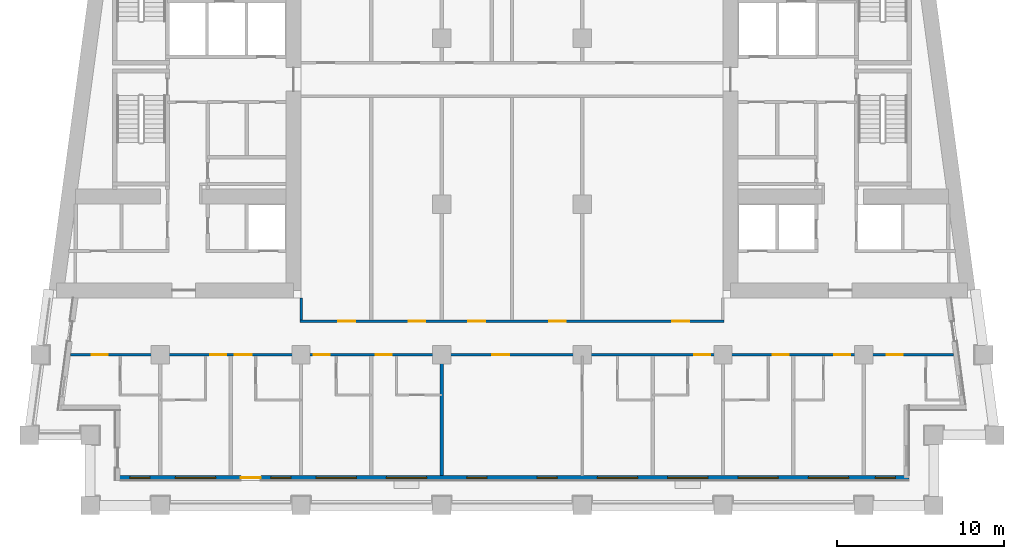
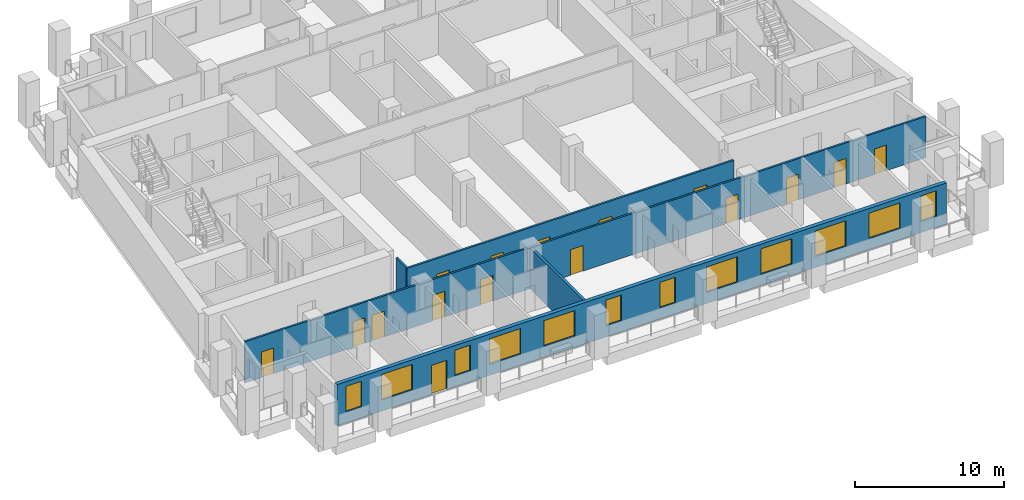
# One storey, part 3 of 13: 16 doors, 12 windows, 5 walls, 28 openings.
"""IFC4 building model written with IfcOpenShell, lengths in metres."""

from ifc_helpers import new_model, si_unit, direction, frame, frame_2d, origin, place, context, subcontext, project, spatial, rectangle, extrude, material, layer, layer_set, type_object, element, fill, save


model = new_model("IFC4")

# Units and contexts
model_context = context("Model", 3, precision=1e-05, world=origin(), true_north=direction((0.0, 1.0)))
body_context = subcontext(model_context, "Body", "Model", "MODEL_VIEW")
ifc_project = project(units=[si_unit("LENGTHUNIT", "METRE"), si_unit("AREAUNIT", "SQUARE_METRE"), si_unit("VOLUMEUNIT", "CUBIC_METRE"), si_unit("PLANEANGLEUNIT", "RADIAN"), si_unit("MASSUNIT", "GRAM", prefix="KILO")], contexts=[model_context])

# Site, building, storey
site_placement = place(None, origin())
site = spatial("IfcSite", under=ifc_project, at=site_placement, CompositionType="ELEMENT")
building_placement = place(site_placement, origin())
building = spatial("IfcBuilding", under=site, at=building_placement, Name="Candeia Pilgrim Tower and Theatre", CompositionType="ELEMENT")
storey_placement = place(building_placement, frame((0.0, 0.0, 181.10009765625)))
storey = spatial("IfcBuildingStorey", under=building, at=storey_placement, Name="L43", CompositionType="ELEMENT", Elevation=181.10009765625)

# Wall, openings, door, windows
ifc_material_1 = material(Name="Ceramic block masonry", Category="masonry")
ifc_layer_1 = layer(ifc_material_1, 0.300048828125)
ifc_layer_set_1 = layer_set([ifc_layer_1], Name="EW1 glazing-line wall 300")
wall_type_1 = type_object("IfcWallType", Name="EW1 glazing-line wall 300", PredefinedType="SOLIDWALL", material=ifc_layer_set_1)
wall_1_placement = place(storey_placement, frame((89.85009765625, 99.64990234375, 0.0), z_axis=(0.0, 0.0, 1.0), x_axis=(1.0, 0.0, 0.0)))
wall_1 = element("IfcWall", 1, at=wall_1_placement, inside=storey, type_object=wall_type_1, Name="External wall L43-0.0", PredefinedType="SOLIDWALL", context=body_context, shape_type="SweptSolid", body=[
    extrude(rectangle(XDim=47.25, YDim=0.300048828125, at=frame_2d((23.625, 0.0))), origin(), (0.0, 0.0, 1.0), 3.3798828125),
])
opening_1_placement = place(wall_1_placement, frame((0.72509765625, 0.0, 0.89990234375)))
opening_1 = element("IfcOpeningElement", 2, at=opening_1_placement, cuts=wall_1, Name="Opening W-B", PredefinedType="OPENING", context=body_context, shape_type="SweptSolid", body=[
    extrude(rectangle(XDim=1.199951171875, YDim=2.10009765625, at=frame_2d((0.60009765625, 1.050048828125))), frame((0.0, 0.16015625, 0.0), z_axis=(0.0, -1.0, 0.0), x_axis=(1.0, 0.0, 0.0)), (0.0, 0.0, 1.0), 0.320068359375),
])
opening_2_placement = place(wall_1_placement, frame((3.449951171875, 0.0, 0.89990234375)))
opening_2 = element("IfcOpeningElement", 3, at=opening_2_placement, cuts=wall_1, Name="Opening W-A", PredefinedType="OPENING", context=body_context, shape_type="SweptSolid", body=[
    extrude(rectangle(XDim=2.39990234375, YDim=2.10009765625, at=frame_2d((1.199951171875, 1.050048828125))), frame((0.0, 0.16015625, 0.0), z_axis=(0.0, -1.0, 0.0), x_axis=(1.0, 0.0, 0.0)), (0.0, 0.0, 1.0), 0.320068359375),
])
opening_3_placement = place(wall_1_placement, frame((7.35009765625, 0.0, 0.0)))
opening_3 = element("IfcOpeningElement", 4, at=opening_3_placement, cuts=wall_1, Name="Opening L43-ED411", PredefinedType="OPENING", context=body_context, shape_type="SweptSolid", body=[
    extrude(rectangle(XDim=1.199951171875, YDim=2.39990234375, at=frame_2d((0.60009765625, 1.199951171875))), frame((0.0, 0.16015625, 0.0), z_axis=(0.0, -1.0, 0.0), x_axis=(1.0, 0.0, 0.0)), (0.0, 0.0, 1.0), 0.320068359375),
])
opening_4_placement = place(wall_1_placement, frame((9.14990234375, 0.0, 0.89990234375)))
opening_4 = element("IfcOpeningElement", 5, at=opening_4_placement, cuts=wall_1, Name="Opening W-B", PredefinedType="OPENING", context=body_context, shape_type="SweptSolid", body=[
    extrude(rectangle(XDim=1.199951171875, YDim=2.10009765625, at=frame_2d((0.60009765625, 1.050048828125))), frame((0.0, 0.16015625, 0.0), z_axis=(0.0, -1.0, 0.0), x_axis=(1.0, 0.0, 0.0)), (0.0, 0.0, 1.0), 0.320068359375),
])
opening_5_placement = place(wall_1_placement, frame((11.85009765625, 0.0, 0.89990234375)))
opening_5 = element("IfcOpeningElement", 6, at=opening_5_placement, cuts=wall_1, Name="Opening W-A", PredefinedType="OPENING", context=body_context, shape_type="SweptSolid", body=[
    extrude(rectangle(XDim=2.39990234375, YDim=2.10009765625, at=frame_2d((1.199951171875, 1.050048828125))), frame((0.0, 0.16015625, 0.0), z_axis=(0.0, -1.0, 0.0), x_axis=(1.0, 0.0, 0.0)), (0.0, 0.0, 1.0), 0.320068359375),
])
opening_6_placement = place(wall_1_placement, frame((16.050048828125, 0.0, 0.89990234375)))
opening_6 = element("IfcOpeningElement", 7, at=opening_6_placement, cuts=wall_1, Name="Opening W-A", PredefinedType="OPENING", context=body_context, shape_type="SweptSolid", body=[
    extrude(rectangle(XDim=2.39990234375, YDim=2.10009765625, at=frame_2d((1.199951171875, 1.050048828125))), frame((0.0, 0.16015625, 0.0), z_axis=(0.0, -1.0, 0.0), x_axis=(1.0, 0.0, 0.0)), (0.0, 0.0, 1.0), 0.320068359375),
])
opening_7_placement = place(wall_1_placement, frame((20.85009765625, 0.0, 0.89990234375)))
opening_7 = element("IfcOpeningElement", 8, at=opening_7_placement, cuts=wall_1, Name="Opening W-B", PredefinedType="OPENING", context=body_context, shape_type="SweptSolid", body=[
    extrude(rectangle(XDim=1.199951171875, YDim=2.10009765625, at=frame_2d((0.60009765625, 1.050048828125))), frame((0.0, 0.16015625, 0.0), z_axis=(0.0, -1.0, 0.0), x_axis=(1.0, 0.0, 0.0)), (0.0, 0.0, 1.0), 0.320068359375),
])
opening_8_placement = place(wall_1_placement, frame((25.050048828125, 0.0, 0.89990234375)))
opening_8 = element("IfcOpeningElement", 9, at=opening_8_placement, cuts=wall_1, Name="Opening W-B", PredefinedType="OPENING", context=body_context, shape_type="SweptSolid", body=[
    extrude(rectangle(XDim=1.199951171875, YDim=2.10009765625, at=frame_2d((0.60009765625, 1.050048828125))), frame((0.0, 0.16015625, 0.0), z_axis=(0.0, -1.0, 0.0), x_axis=(1.0, 0.0, 0.0)), (0.0, 0.0, 1.0), 0.320068359375),
])
opening_9_placement = place(wall_1_placement, frame((28.64990234375, 0.0, 0.89990234375)))
opening_9 = element("IfcOpeningElement", 10, at=opening_9_placement, cuts=wall_1, Name="Opening W-A", PredefinedType="OPENING", context=body_context, shape_type="SweptSolid", body=[
    extrude(rectangle(XDim=2.39990234375, YDim=2.10009765625, at=frame_2d((1.199951171875, 1.050048828125))), frame((0.0, 0.16015625, 0.0), z_axis=(0.0, -1.0, 0.0), x_axis=(1.0, 0.0, 0.0)), (0.0, 0.0, 1.0), 0.320068359375),
])
opening_10_placement = place(wall_1_placement, frame((32.85009765625, 0.0, 0.89990234375)))
opening_10 = element("IfcOpeningElement", 11, at=opening_10_placement, cuts=wall_1, Name="Opening W-A", PredefinedType="OPENING", context=body_context, shape_type="SweptSolid", body=[
    extrude(rectangle(XDim=2.39990234375, YDim=2.10009765625, at=frame_2d((1.199951171875, 1.050048828125))), frame((0.0, 0.16015625, 0.0), z_axis=(0.0, -1.0, 0.0), x_axis=(1.0, 0.0, 0.0)), (0.0, 0.0, 1.0), 0.320068359375),
])
opening_11_placement = place(wall_1_placement, frame((37.050048828125, 0.0, 0.89990234375)))
opening_11 = element("IfcOpeningElement", 12, at=opening_11_placement, cuts=wall_1, Name="Opening W-A", PredefinedType="OPENING", context=body_context, shape_type="SweptSolid", body=[
    extrude(rectangle(XDim=2.39990234375, YDim=2.10009765625, at=frame_2d((1.199951171875, 1.050048828125))), frame((0.0, 0.16015625, 0.0), z_axis=(0.0, -1.0, 0.0), x_axis=(1.0, 0.0, 0.0)), (0.0, 0.0, 1.0), 0.320068359375),
])
opening_12_placement = place(wall_1_placement, frame((41.25, 0.0, 0.89990234375)))
opening_12 = element("IfcOpeningElement", 13, at=opening_12_placement, cuts=wall_1, Name="Opening W-A", PredefinedType="OPENING", context=body_context, shape_type="SweptSolid", body=[
    extrude(rectangle(XDim=2.39990234375, YDim=2.10009765625, at=frame_2d((1.199951171875, 1.050048828125))), frame((0.0, 0.16015625, 0.0), z_axis=(0.0, -1.0, 0.0), x_axis=(1.0, 0.0, 0.0)), (0.0, 0.0, 1.0), 0.320068359375),
])
opening_13_placement = place(wall_1_placement, frame((45.25, 0.0, 0.89990234375)))
opening_13 = element("IfcOpeningElement", 14, at=opening_13_placement, cuts=wall_1, Name="Opening W-B", PredefinedType="OPENING", context=body_context, shape_type="SweptSolid", body=[
    extrude(rectangle(XDim=1.199951171875, YDim=2.10009765625, at=frame_2d((0.60009765625, 1.050048828125))), frame((0.0, 0.16015625, 0.0), z_axis=(0.0, -1.0, 0.0), x_axis=(1.0, 0.0, 0.0)), (0.0, 0.0, 1.0), 0.320068359375),
])
ifc_material_2 = material(Name="Aluminium framed glazed door", Category="aluminium")
door_type_1 = type_object("IfcDoorType", Name="Loggia door 1200x2400", OperationType="DOUBLE_DOOR_SINGLE_SWING", PredefinedType="DOOR", material=ifc_material_2)
door_1_placement = place(opening_3_placement, origin())
door_1 = element("IfcDoor", 15, at=door_1_placement, inside=storey, type_object=door_type_1, Name="Loggia door L43-ED411", OperationType="DOUBLE_DOOR_SINGLE_SWING", OverallHeight=2.39990234375, OverallWidth=1.199951171875, PredefinedType="DOOR", context=body_context, shape_type="SweptSolid", body=[
    extrude(rectangle(XDim=1.199951171875, YDim=2.39990234375, at=frame_2d((0.60009765625, 1.199951171875))), frame((0.0, 0.02490234375, 0.0), z_axis=(0.0, -1.0, 0.0), x_axis=(1.0, 0.0, 0.0)), (0.0, 0.0, 1.0), 0.050048828125),
])
fill(opening_3, door_1)
ifc_material_3 = material(Name="Aluminium framed double glazing", Category="aluminium")
window_type_1 = type_object("IfcWindowType", Name="W-A window 2400x2100", PartitioningType="DOUBLE_PANEL_VERTICAL", PredefinedType="WINDOW", material=ifc_material_3)
window_1_placement = place(opening_2_placement, origin())
window_1 = element("IfcWindow", 16, at=window_1_placement, inside=storey, type_object=window_type_1, Name="Window W-A L43", OverallHeight=2.10009765625, OverallWidth=2.39990234375, PartitioningType="SINGLE_PANEL", PredefinedType="WINDOW", context=body_context, shape_type="SweptSolid", body=[
    extrude(rectangle(XDim=2.39990234375, YDim=2.10009765625, at=frame_2d((1.199951171875, 1.050048828125))), frame((0.0, 0.030029296875, 0.0), z_axis=(0.0, -1.0, 0.0), x_axis=(1.0, 0.0, 0.0)), (0.0, 0.0, 1.0), 0.06005859375),
])
fill(opening_2, window_1)
window_2_placement = place(opening_5_placement, origin())
window_2 = element("IfcWindow", 17, at=window_2_placement, inside=storey, type_object=window_type_1, Name="Window W-A L43", OverallHeight=2.10009765625, OverallWidth=2.39990234375, PartitioningType="SINGLE_PANEL", PredefinedType="WINDOW", context=body_context, shape_type="SweptSolid", body=[
    extrude(rectangle(XDim=2.39990234375, YDim=2.10009765625, at=frame_2d((1.199951171875, 1.050048828125))), frame((0.0, 0.030029296875, 0.0), z_axis=(0.0, -1.0, 0.0), x_axis=(1.0, 0.0, 0.0)), (0.0, 0.0, 1.0), 0.06005859375),
])
fill(opening_5, window_2)
window_3_placement = place(opening_6_placement, origin())
window_3 = element("IfcWindow", 18, at=window_3_placement, inside=storey, type_object=window_type_1, Name="Window W-A L43", OverallHeight=2.10009765625, OverallWidth=2.39990234375, PartitioningType="SINGLE_PANEL", PredefinedType="WINDOW", context=body_context, shape_type="SweptSolid", body=[
    extrude(rectangle(XDim=2.39990234375, YDim=2.10009765625, at=frame_2d((1.199951171875, 1.050048828125))), frame((0.0, 0.030029296875, 0.0), z_axis=(0.0, -1.0, 0.0), x_axis=(1.0, 0.0, 0.0)), (0.0, 0.0, 1.0), 0.06005859375),
])
fill(opening_6, window_3)
window_4_placement = place(opening_9_placement, origin())
window_4 = element("IfcWindow", 19, at=window_4_placement, inside=storey, type_object=window_type_1, Name="Window W-A L43", OverallHeight=2.10009765625, OverallWidth=2.39990234375, PartitioningType="SINGLE_PANEL", PredefinedType="WINDOW", context=body_context, shape_type="SweptSolid", body=[
    extrude(rectangle(XDim=2.39990234375, YDim=2.10009765625, at=frame_2d((1.199951171875, 1.050048828125))), frame((0.0, 0.030029296875, 0.0), z_axis=(0.0, -1.0, 0.0), x_axis=(1.0, 0.0, 0.0)), (0.0, 0.0, 1.0), 0.06005859375),
])
fill(opening_9, window_4)
window_5_placement = place(opening_10_placement, origin())
window_5 = element("IfcWindow", 20, at=window_5_placement, inside=storey, type_object=window_type_1, Name="Window W-A L43", OverallHeight=2.10009765625, OverallWidth=2.39990234375, PartitioningType="SINGLE_PANEL", PredefinedType="WINDOW", context=body_context, shape_type="SweptSolid", body=[
    extrude(rectangle(XDim=2.39990234375, YDim=2.10009765625, at=frame_2d((1.199951171875, 1.050048828125))), frame((0.0, 0.030029296875, 0.0), z_axis=(0.0, -1.0, 0.0), x_axis=(1.0, 0.0, 0.0)), (0.0, 0.0, 1.0), 0.06005859375),
])
fill(opening_10, window_5)
window_6_placement = place(opening_11_placement, origin())
window_6 = element("IfcWindow", 21, at=window_6_placement, inside=storey, type_object=window_type_1, Name="Window W-A L43", OverallHeight=2.10009765625, OverallWidth=2.39990234375, PartitioningType="SINGLE_PANEL", PredefinedType="WINDOW", context=body_context, shape_type="SweptSolid", body=[
    extrude(rectangle(XDim=2.39990234375, YDim=2.10009765625, at=frame_2d((1.199951171875, 1.050048828125))), frame((0.0, 0.030029296875, 0.0), z_axis=(0.0, -1.0, 0.0), x_axis=(1.0, 0.0, 0.0)), (0.0, 0.0, 1.0), 0.06005859375),
])
fill(opening_11, window_6)
window_7_placement = place(opening_12_placement, origin())
window_7 = element("IfcWindow", 22, at=window_7_placement, inside=storey, type_object=window_type_1, Name="Window W-A L43", OverallHeight=2.10009765625, OverallWidth=2.39990234375, PartitioningType="SINGLE_PANEL", PredefinedType="WINDOW", context=body_context, shape_type="SweptSolid", body=[
    extrude(rectangle(XDim=2.39990234375, YDim=2.10009765625, at=frame_2d((1.199951171875, 1.050048828125))), frame((0.0, 0.030029296875, 0.0), z_axis=(0.0, -1.0, 0.0), x_axis=(1.0, 0.0, 0.0)), (0.0, 0.0, 1.0), 0.06005859375),
])
fill(opening_12, window_7)
window_type_2 = type_object("IfcWindowType", Name="W-B window 1200x2100", PartitioningType="SINGLE_PANEL", PredefinedType="WINDOW", material=ifc_material_3)
window_8_placement = place(opening_1_placement, origin())
window_8 = element("IfcWindow", 23, at=window_8_placement, inside=storey, type_object=window_type_2, Name="Window W-B L43", OverallHeight=2.10009765625, OverallWidth=1.199951171875, PartitioningType="SINGLE_PANEL", PredefinedType="WINDOW", context=body_context, shape_type="SweptSolid", body=[
    extrude(rectangle(XDim=1.199951171875, YDim=2.10009765625, at=frame_2d((0.60009765625, 1.050048828125))), frame((0.0, 0.030029296875, 0.0), z_axis=(0.0, -1.0, 0.0), x_axis=(1.0, 0.0, 0.0)), (0.0, 0.0, 1.0), 0.06005859375),
])
fill(opening_1, window_8)
window_9_placement = place(opening_4_placement, origin())
window_9 = element("IfcWindow", 24, at=window_9_placement, inside=storey, type_object=window_type_2, Name="Window W-B L43", OverallHeight=2.10009765625, OverallWidth=1.199951171875, PartitioningType="SINGLE_PANEL", PredefinedType="WINDOW", context=body_context, shape_type="SweptSolid", body=[
    extrude(rectangle(XDim=1.199951171875, YDim=2.10009765625, at=frame_2d((0.60009765625, 1.050048828125))), frame((0.0, 0.030029296875, 0.0), z_axis=(0.0, -1.0, 0.0), x_axis=(1.0, 0.0, 0.0)), (0.0, 0.0, 1.0), 0.06005859375),
])
fill(opening_4, window_9)
window_10_placement = place(opening_7_placement, origin())
window_10 = element("IfcWindow", 25, at=window_10_placement, inside=storey, type_object=window_type_2, Name="Window W-B L43", OverallHeight=2.10009765625, OverallWidth=1.199951171875, PartitioningType="SINGLE_PANEL", PredefinedType="WINDOW", context=body_context, shape_type="SweptSolid", body=[
    extrude(rectangle(XDim=1.199951171875, YDim=2.10009765625, at=frame_2d((0.60009765625, 1.050048828125))), frame((0.0, 0.030029296875, 0.0), z_axis=(0.0, -1.0, 0.0), x_axis=(1.0, 0.0, 0.0)), (0.0, 0.0, 1.0), 0.06005859375),
])
fill(opening_7, window_10)
window_11_placement = place(opening_8_placement, origin())
window_11 = element("IfcWindow", 26, at=window_11_placement, inside=storey, type_object=window_type_2, Name="Window W-B L43", OverallHeight=2.10009765625, OverallWidth=1.199951171875, PartitioningType="SINGLE_PANEL", PredefinedType="WINDOW", context=body_context, shape_type="SweptSolid", body=[
    extrude(rectangle(XDim=1.199951171875, YDim=2.10009765625, at=frame_2d((0.60009765625, 1.050048828125))), frame((0.0, 0.030029296875, 0.0), z_axis=(0.0, -1.0, 0.0), x_axis=(1.0, 0.0, 0.0)), (0.0, 0.0, 1.0), 0.06005859375),
])
fill(opening_8, window_11)
window_12_placement = place(opening_13_placement, origin())
window_12 = element("IfcWindow", 27, at=window_12_placement, inside=storey, type_object=window_type_2, Name="Window W-B L43", OverallHeight=2.10009765625, OverallWidth=1.199951171875, PartitioningType="SINGLE_PANEL", PredefinedType="WINDOW", context=body_context, shape_type="SweptSolid", body=[
    extrude(rectangle(XDim=1.199951171875, YDim=2.10009765625, at=frame_2d((0.60009765625, 1.050048828125))), frame((0.0, 0.030029296875, 0.0), z_axis=(0.0, -1.0, 0.0), x_axis=(1.0, 0.0, 0.0)), (0.0, 0.0, 1.0), 0.06005859375),
])
fill(opening_13, window_12)

# Wall, openings, doors
ifc_material_4 = material(Name="Gypsum board partition on steel studs", Category="steel")
ifc_layer_2 = layer(ifc_material_4, 0.14990234375)
ifc_layer_set_2 = layer_set([ifc_layer_2], Name="PW-150 unit wall")
wall_type_2 = type_object("IfcWallType", Name="PW-150 unit wall", PredefinedType="PARTITIONING", material=ifc_layer_set_2)
wall_2_placement = place(storey_placement, frame((87.017578125, 107.0, 0.0), z_axis=(0.0, 0.0, 1.0), x_axis=(1.0, 0.0, 0.0)))
wall_2 = element("IfcWall", 28, at=wall_2_placement, inside=storey, type_object=wall_type_2, Name="Unit wall L43-011", PredefinedType="PARTITIONING", context=body_context, shape_type="SweptSolid", body=[
    extrude(rectangle(XDim=52.7646484375, YDim=0.14990234375, at=frame_2d((26.38232421875, 0.0))), origin(), (0.0, 0.0, 1.0), 3.3798828125),
])
opening_14_placement = place(wall_2_placement, frame((1.2763671875, 0.0, 0.0)))
opening_14 = element("IfcOpeningElement", 29, at=opening_14_placement, cuts=wall_2, Name="Opening L43-D017", PredefinedType="OPENING", context=body_context, shape_type="SweptSolid", body=[
    extrude(rectangle(XDim=0.949951171875, YDim=2.10009765625, at=frame_2d((0.47509765625, 1.050048828125))), frame((0.0, 0.0849609375, 0.0), z_axis=(0.0, -1.0, 0.0), x_axis=(1.0, 0.0, 0.0)), (0.0, 0.0, 1.0), 0.169921875),
])
opening_15_placement = place(wall_2_placement, frame((8.357421875, 0.0, 0.0)))
opening_15 = element("IfcOpeningElement", 30, at=opening_15_placement, cuts=wall_2, Name="Opening L43-D019", PredefinedType="OPENING", context=body_context, shape_type="SweptSolid", body=[
    extrude(rectangle(XDim=0.949951171875, YDim=2.10009765625, at=frame_2d((0.47509765625, 1.050048828125))), frame((0.0, 0.0849609375, 0.0), z_axis=(0.0, -1.0, 0.0), x_axis=(1.0, 0.0, 0.0)), (0.0, 0.0, 1.0), 0.169921875),
])
opening_16_placement = place(wall_2_placement, frame((9.832275390625, 0.0, 0.0)))
opening_16 = element("IfcOpeningElement", 31, at=opening_16_placement, cuts=wall_2, Name="Opening L43-D021", PredefinedType="OPENING", context=body_context, shape_type="SweptSolid", body=[
    extrude(rectangle(XDim=1.0, YDim=2.10009765625, at=frame_2d((0.5, 1.050048828125))), frame((0.0, 0.0849609375, 0.0), z_axis=(0.0, -1.0, 0.0), x_axis=(1.0, 0.0, 0.0)), (0.0, 0.0, 1.0), 0.169921875),
])
opening_17_placement = place(wall_2_placement, frame((14.54736328125, 0.0, 0.0)))
opening_17 = element("IfcOpeningElement", 32, at=opening_17_placement, cuts=wall_2, Name="Opening L43-D023", PredefinedType="OPENING", context=body_context, shape_type="SweptSolid", body=[
    extrude(rectangle(XDim=0.949951171875, YDim=2.10009765625, at=frame_2d((0.47509765625, 1.050048828125))), frame((0.0, 0.0849609375, 0.0), z_axis=(0.0, -1.0, 0.0), x_axis=(1.0, 0.0, 0.0)), (0.0, 0.0, 1.0), 0.169921875),
])
opening_18_placement = place(wall_2_placement, frame((18.25732421875, 0.0, 0.0)))
opening_18 = element("IfcOpeningElement", 33, at=opening_18_placement, cuts=wall_2, Name="Opening L43-D025", PredefinedType="OPENING", context=body_context, shape_type="SweptSolid", body=[
    extrude(rectangle(XDim=0.949951171875, YDim=2.10009765625, at=frame_2d((0.47509765625, 1.050048828125))), frame((0.0, 0.0849609375, 0.0), z_axis=(0.0, -1.0, 0.0), x_axis=(1.0, 0.0, 0.0)), (0.0, 0.0, 1.0), 0.169921875),
])
opening_19_placement = place(wall_2_placement, frame((25.21240234375, 0.0, 0.0)))
opening_19 = element("IfcOpeningElement", 34, at=opening_19_placement, cuts=wall_2, Name="Opening L43-D027", PredefinedType="OPENING", context=body_context, shape_type="SweptSolid", body=[
    extrude(rectangle(XDim=1.0, YDim=2.10009765625, at=frame_2d((0.5, 1.050048828125))), frame((0.0, 0.0849609375, 0.0), z_axis=(0.0, -1.0, 0.0), x_axis=(1.0, 0.0, 0.0)), (0.0, 0.0, 1.0), 0.169921875),
])
opening_20_placement = place(wall_2_placement, frame((37.267333984375, 0.0, 0.0)))
opening_20 = element("IfcOpeningElement", 35, at=opening_20_placement, cuts=wall_2, Name="Opening L43-D030", PredefinedType="OPENING", context=body_context, shape_type="SweptSolid", body=[
    extrude(rectangle(XDim=0.949951171875, YDim=2.10009765625, at=frame_2d((0.47509765625, 1.050048828125))), frame((0.0, 0.0849609375, 0.0), z_axis=(0.0, -1.0, 0.0), x_axis=(1.0, 0.0, 0.0)), (0.0, 0.0, 1.0), 0.169921875),
])
opening_21_placement = place(wall_2_placement, frame((41.957275390625, 0.0, 0.0)))
opening_21 = element("IfcOpeningElement", 36, at=opening_21_placement, cuts=wall_2, Name="Opening L43-D032", PredefinedType="OPENING", context=body_context, shape_type="SweptSolid", body=[
    extrude(rectangle(XDim=0.949951171875, YDim=2.10009765625, at=frame_2d((0.47509765625, 1.050048828125))), frame((0.0, 0.0849609375, 0.0), z_axis=(0.0, -1.0, 0.0), x_axis=(1.0, 0.0, 0.0)), (0.0, 0.0, 1.0), 0.169921875),
])
opening_22_placement = place(wall_2_placement, frame((45.63232421875, 0.0, 0.0)))
opening_22 = element("IfcOpeningElement", 37, at=opening_22_placement, cuts=wall_2, Name="Opening L43-D034", PredefinedType="OPENING", context=body_context, shape_type="SweptSolid", body=[
    extrude(rectangle(XDim=0.949951171875, YDim=2.10009765625, at=frame_2d((0.47509765625, 1.050048828125))), frame((0.0, 0.0849609375, 0.0), z_axis=(0.0, -1.0, 0.0), x_axis=(1.0, 0.0, 0.0)), (0.0, 0.0, 1.0), 0.169921875),
])
opening_23_placement = place(wall_2_placement, frame((48.767333984375, 0.0, 0.0)))
opening_23 = element("IfcOpeningElement", 38, at=opening_23_placement, cuts=wall_2, Name="Opening L43-D036", PredefinedType="OPENING", context=body_context, shape_type="SweptSolid", body=[
    extrude(rectangle(XDim=0.949951171875, YDim=2.10009765625, at=frame_2d((0.47509765625, 1.050048828125))), frame((0.0, 0.0849609375, 0.0), z_axis=(0.0, -1.0, 0.0), x_axis=(1.0, 0.0, 0.0)), (0.0, 0.0, 1.0), 0.169921875),
])
ifc_material_5 = material(Name="Steel fire door set", Category="steel")
door_type_2 = type_object("IfcDoorType", Name="D-1000-FD30S", OperationType="NOTDEFINED", PredefinedType="DOOR", material=ifc_material_5)
door_2_placement = place(opening_16_placement, origin())
door_2 = element("IfcDoor", 39, at=door_2_placement, inside=storey, type_object=door_type_2, Name="Door L43-D021", OperationType="SINGLE_SWING_RIGHT", OverallHeight=2.10009765625, OverallWidth=1.0, PredefinedType="DOOR", context=body_context, shape_type="SweptSolid", body=[
    extrude(rectangle(XDim=1.0, YDim=2.10009765625, at=frame_2d((0.5, 1.050048828125))), frame((0.0, 0.02490234375, 0.0), z_axis=(0.0, -1.0, 0.0), x_axis=(1.0, 0.0, 0.0)), (0.0, 0.0, 1.0), 0.050048828125),
])
fill(opening_16, door_2)
door_3_placement = place(opening_19_placement, origin())
door_3 = element("IfcDoor", 40, at=door_3_placement, inside=storey, type_object=door_type_2, Name="Door L43-D027", OperationType="SINGLE_SWING_RIGHT", OverallHeight=2.10009765625, OverallWidth=1.0, PredefinedType="DOOR", context=body_context, shape_type="SweptSolid", body=[
    extrude(rectangle(XDim=1.0, YDim=2.10009765625, at=frame_2d((0.5, 1.050048828125))), frame((0.0, 0.02490234375, 0.0), z_axis=(0.0, -1.0, 0.0), x_axis=(1.0, 0.0, 0.0)), (0.0, 0.0, 1.0), 0.050048828125),
])
fill(opening_19, door_3)
door_type_3 = type_object("IfcDoorType", Name="D-950-FD30S", OperationType="NOTDEFINED", PredefinedType="DOOR", material=ifc_material_5)
door_4_placement = place(opening_14_placement, origin())
door_4 = element("IfcDoor", 41, at=door_4_placement, inside=storey, type_object=door_type_3, Name="Door L43-D017", OperationType="SINGLE_SWING_RIGHT", OverallHeight=2.10009765625, OverallWidth=0.949951171875, PredefinedType="DOOR", context=body_context, shape_type="SweptSolid", body=[
    extrude(rectangle(XDim=0.949951171875, YDim=2.10009765625, at=frame_2d((0.47509765625, 1.050048828125))), frame((0.0, 0.02490234375, 0.0), z_axis=(0.0, -1.0, 0.0), x_axis=(1.0, 0.0, 0.0)), (0.0, 0.0, 1.0), 0.050048828125),
])
fill(opening_14, door_4)
door_5_placement = place(opening_15_placement, origin())
door_5 = element("IfcDoor", 42, at=door_5_placement, inside=storey, type_object=door_type_3, Name="Door L43-D019", OperationType="SINGLE_SWING_RIGHT", OverallHeight=2.10009765625, OverallWidth=0.949951171875, PredefinedType="DOOR", context=body_context, shape_type="SweptSolid", body=[
    extrude(rectangle(XDim=0.949951171875, YDim=2.10009765625, at=frame_2d((0.47509765625, 1.050048828125))), frame((0.0, 0.02490234375, 0.0), z_axis=(0.0, -1.0, 0.0), x_axis=(1.0, 0.0, 0.0)), (0.0, 0.0, 1.0), 0.050048828125),
])
fill(opening_15, door_5)
door_6_placement = place(opening_17_placement, origin())
door_6 = element("IfcDoor", 43, at=door_6_placement, inside=storey, type_object=door_type_3, Name="Door L43-D023", OperationType="SINGLE_SWING_RIGHT", OverallHeight=2.10009765625, OverallWidth=0.949951171875, PredefinedType="DOOR", context=body_context, shape_type="SweptSolid", body=[
    extrude(rectangle(XDim=0.949951171875, YDim=2.10009765625, at=frame_2d((0.47509765625, 1.050048828125))), frame((0.0, 0.02490234375, 0.0), z_axis=(0.0, -1.0, 0.0), x_axis=(1.0, 0.0, 0.0)), (0.0, 0.0, 1.0), 0.050048828125),
])
fill(opening_17, door_6)
door_7_placement = place(opening_18_placement, origin())
door_7 = element("IfcDoor", 44, at=door_7_placement, inside=storey, type_object=door_type_3, Name="Door L43-D025", OperationType="SINGLE_SWING_RIGHT", OverallHeight=2.10009765625, OverallWidth=0.949951171875, PredefinedType="DOOR", context=body_context, shape_type="SweptSolid", body=[
    extrude(rectangle(XDim=0.949951171875, YDim=2.10009765625, at=frame_2d((0.47509765625, 1.050048828125))), frame((0.0, 0.02490234375, 0.0), z_axis=(0.0, -1.0, 0.0), x_axis=(1.0, 0.0, 0.0)), (0.0, 0.0, 1.0), 0.050048828125),
])
fill(opening_18, door_7)
door_8_placement = place(opening_20_placement, origin())
door_8 = element("IfcDoor", 45, at=door_8_placement, inside=storey, type_object=door_type_3, Name="Door L43-D030", OperationType="SINGLE_SWING_LEFT", OverallHeight=2.10009765625, OverallWidth=0.949951171875, PredefinedType="DOOR", context=body_context, shape_type="SweptSolid", body=[
    extrude(rectangle(XDim=0.949951171875, YDim=2.10009765625, at=frame_2d((0.47509765625, 1.050048828125))), frame((0.0, 0.02490234375, 0.0), z_axis=(0.0, -1.0, 0.0), x_axis=(1.0, 0.0, 0.0)), (0.0, 0.0, 1.0), 0.050048828125),
])
fill(opening_20, door_8)
door_9_placement = place(opening_21_placement, origin())
door_9 = element("IfcDoor", 46, at=door_9_placement, inside=storey, type_object=door_type_3, Name="Door L43-D032", OperationType="SINGLE_SWING_LEFT", OverallHeight=2.10009765625, OverallWidth=0.949951171875, PredefinedType="DOOR", context=body_context, shape_type="SweptSolid", body=[
    extrude(rectangle(XDim=0.949951171875, YDim=2.10009765625, at=frame_2d((0.47509765625, 1.050048828125))), frame((0.0, 0.02490234375, 0.0), z_axis=(0.0, -1.0, 0.0), x_axis=(1.0, 0.0, 0.0)), (0.0, 0.0, 1.0), 0.050048828125),
])
fill(opening_21, door_9)
door_10_placement = place(opening_22_placement, origin())
door_10 = element("IfcDoor", 47, at=door_10_placement, inside=storey, type_object=door_type_3, Name="Door L43-D034", OperationType="SINGLE_SWING_LEFT", OverallHeight=2.10009765625, OverallWidth=0.949951171875, PredefinedType="DOOR", context=body_context, shape_type="SweptSolid", body=[
    extrude(rectangle(XDim=0.949951171875, YDim=2.10009765625, at=frame_2d((0.47509765625, 1.050048828125))), frame((0.0, 0.02490234375, 0.0), z_axis=(0.0, -1.0, 0.0), x_axis=(1.0, 0.0, 0.0)), (0.0, 0.0, 1.0), 0.050048828125),
])
fill(opening_22, door_10)
door_11_placement = place(opening_23_placement, origin())
door_11 = element("IfcDoor", 48, at=door_11_placement, inside=storey, type_object=door_type_3, Name="Door L43-D036", OperationType="SINGLE_SWING_LEFT", OverallHeight=2.10009765625, OverallWidth=0.949951171875, PredefinedType="DOOR", context=body_context, shape_type="SweptSolid", body=[
    extrude(rectangle(XDim=0.949951171875, YDim=2.10009765625, at=frame_2d((0.47509765625, 1.050048828125))), frame((0.0, 0.02490234375, 0.0), z_axis=(0.0, -1.0, 0.0), x_axis=(1.0, 0.0, 0.0)), (0.0, 0.0, 1.0), 0.050048828125),
])
fill(opening_23, door_11)

wall_3_placement = place(storey_placement, frame((100.72509765625, 109.0, 0.0), z_axis=(0.0, 0.0, 1.0), x_axis=(1.0, 0.0, 0.0)))
wall_3 = element("IfcWall", 49, at=wall_3_placement, inside=storey, type_object=wall_type_2, Name="Unit wall L43-012", PredefinedType="PARTITIONING", context=body_context, shape_type="SweptSolid", body=[
    extrude(rectangle(XDim=25.349853515625, YDim=0.14990234375, at=frame_2d((12.6748046875, 0.0))), origin(), (0.0, 0.0, 1.0), 3.3798828125),
])
opening_24_placement = place(wall_3_placement, frame((2.300048828125, 0.0, 0.0)))
opening_24 = element("IfcOpeningElement", 50, at=opening_24_placement, cuts=wall_3, Name="Opening L43-D054", PredefinedType="OPENING", context=body_context, shape_type="SweptSolid", body=[
    extrude(rectangle(XDim=1.0, YDim=2.10009765625, at=frame_2d((0.5, 1.050048828125))), frame((0.0, 0.0849609375, 0.0), z_axis=(0.0, -1.0, 0.0), x_axis=(1.0, 0.0, 0.0)), (0.0, 0.0, 1.0), 0.169921875),
])
opening_25_placement = place(wall_3_placement, frame((6.5, 0.0, 0.0)))
opening_25 = element("IfcOpeningElement", 51, at=opening_25_placement, cuts=wall_3, Name="Opening L43-D055", PredefinedType="OPENING", context=body_context, shape_type="SweptSolid", body=[
    extrude(rectangle(XDim=1.0, YDim=2.10009765625, at=frame_2d((0.5, 1.050048828125))), frame((0.0, 0.0849609375, 0.0), z_axis=(0.0, -1.0, 0.0), x_axis=(1.0, 0.0, 0.0)), (0.0, 0.0, 1.0), 0.169921875),
])
opening_26_placement = place(wall_3_placement, frame((10.074951171875, 0.0, 0.0)))
opening_26 = element("IfcOpeningElement", 52, at=opening_26_placement, cuts=wall_3, Name="Opening L43-D056", PredefinedType="OPENING", context=body_context, shape_type="SweptSolid", body=[
    extrude(rectangle(XDim=1.0, YDim=2.10009765625, at=frame_2d((0.5, 1.050048828125))), frame((0.0, 0.0849609375, 0.0), z_axis=(0.0, -1.0, 0.0), x_axis=(1.0, 0.0, 0.0)), (0.0, 0.0, 1.0), 0.169921875),
])
opening_27_placement = place(wall_3_placement, frame((14.89990234375, 0.0, 0.0)))
opening_27 = element("IfcOpeningElement", 53, at=opening_27_placement, cuts=wall_3, Name="Opening L43-D057", PredefinedType="OPENING", context=body_context, shape_type="SweptSolid", body=[
    extrude(rectangle(XDim=1.0, YDim=2.10009765625, at=frame_2d((0.5, 1.050048828125))), frame((0.0, 0.0849609375, 0.0), z_axis=(0.0, -1.0, 0.0), x_axis=(1.0, 0.0, 0.0)), (0.0, 0.0, 1.0), 0.169921875),
])
opening_28_placement = place(wall_3_placement, frame((22.25, 0.0, 0.0)))
opening_28 = element("IfcOpeningElement", 54, at=opening_28_placement, cuts=wall_3, Name="Opening L43-D058", PredefinedType="OPENING", context=body_context, shape_type="SweptSolid", body=[
    extrude(rectangle(XDim=1.0, YDim=2.10009765625, at=frame_2d((0.5, 1.050048828125))), frame((0.0, 0.0849609375, 0.0), z_axis=(0.0, -1.0, 0.0), x_axis=(1.0, 0.0, 0.0)), (0.0, 0.0, 1.0), 0.169921875),
])
door_12_placement = place(opening_24_placement, origin())
door_12 = element("IfcDoor", 55, at=door_12_placement, inside=storey, type_object=door_type_2, Name="Door L43-D054", OperationType="SINGLE_SWING_LEFT", OverallHeight=2.10009765625, OverallWidth=1.0, PredefinedType="DOOR", context=body_context, shape_type="SweptSolid", body=[
    extrude(rectangle(XDim=1.0, YDim=2.10009765625, at=frame_2d((0.5, 1.050048828125))), frame((0.0, 0.02490234375, 0.0), z_axis=(0.0, -1.0, 0.0), x_axis=(1.0, 0.0, 0.0)), (0.0, 0.0, 1.0), 0.050048828125),
])
fill(opening_24, door_12)
door_13_placement = place(opening_25_placement, origin())
door_13 = element("IfcDoor", 56, at=door_13_placement, inside=storey, type_object=door_type_2, Name="Door L43-D055", OperationType="SINGLE_SWING_RIGHT", OverallHeight=2.10009765625, OverallWidth=1.0, PredefinedType="DOOR", context=body_context, shape_type="SweptSolid", body=[
    extrude(rectangle(XDim=1.0, YDim=2.10009765625, at=frame_2d((0.5, 1.050048828125))), frame((0.0, 0.02490234375, 0.0), z_axis=(0.0, -1.0, 0.0), x_axis=(1.0, 0.0, 0.0)), (0.0, 0.0, 1.0), 0.050048828125),
])
fill(opening_25, door_13)
door_14_placement = place(opening_26_placement, origin())
door_14 = element("IfcDoor", 57, at=door_14_placement, inside=storey, type_object=door_type_2, Name="Door L43-D056", OperationType="SINGLE_SWING_LEFT", OverallHeight=2.10009765625, OverallWidth=1.0, PredefinedType="DOOR", context=body_context, shape_type="SweptSolid", body=[
    extrude(rectangle(XDim=1.0, YDim=2.10009765625, at=frame_2d((0.5, 1.050048828125))), frame((0.0, 0.02490234375, 0.0), z_axis=(0.0, -1.0, 0.0), x_axis=(1.0, 0.0, 0.0)), (0.0, 0.0, 1.0), 0.050048828125),
])
fill(opening_26, door_14)
door_15_placement = place(opening_27_placement, origin())
door_15 = element("IfcDoor", 58, at=door_15_placement, inside=storey, type_object=door_type_2, Name="Door L43-D057", OperationType="SINGLE_SWING_RIGHT", OverallHeight=2.10009765625, OverallWidth=1.0, PredefinedType="DOOR", context=body_context, shape_type="SweptSolid", body=[
    extrude(rectangle(XDim=1.0, YDim=2.10009765625, at=frame_2d((0.5, 1.050048828125))), frame((0.0, 0.02490234375, 0.0), z_axis=(0.0, -1.0, 0.0), x_axis=(1.0, 0.0, 0.0)), (0.0, 0.0, 1.0), 0.050048828125),
])
fill(opening_27, door_15)
door_16_placement = place(opening_28_placement, origin())
door_16 = element("IfcDoor", 59, at=door_16_placement, inside=storey, type_object=door_type_2, Name="Door L43-D058", OperationType="SINGLE_SWING_LEFT", OverallHeight=2.10009765625, OverallWidth=1.0, PredefinedType="DOOR", context=body_context, shape_type="SweptSolid", body=[
    extrude(rectangle(XDim=1.0, YDim=2.10009765625, at=frame_2d((0.5, 1.050048828125))), frame((0.0, 0.02490234375, 0.0), z_axis=(0.0, -1.0, 0.0), x_axis=(1.0, 0.0, 0.0)), (0.0, 0.0, 1.0), 0.050048828125),
])
fill(opening_28, door_16)

# Walls
wall_4_placement = place(storey_placement, frame((100.800048828125, 109.074951171875, 0.0), z_axis=(0.0, 0.0, 1.0), x_axis=(0.0, 1.0, 0.0)))
element("IfcWall", 60, at=wall_4_placement, inside=storey, type_object=wall_type_2, Name="Unit wall L43-078", PredefinedType="PARTITIONING", context=body_context, shape_type="SweptSolid", body=[
    extrude(rectangle(XDim=1.324951171875, YDim=0.14990234375, at=frame_2d((0.66259765625, 0.0))), origin(), (0.0, 0.0, 1.0), 3.3798828125),
])
ifc_layer_3 = layer(ifc_material_4, 0.199951171875)
ifc_layer_set_3 = layer_set([ifc_layer_3], Name="PW-200 party wall")
wall_type_3 = type_object("IfcWallType", Name="PW-200 party wall", PredefinedType="PARTITIONING", material=ifc_layer_set_3)
wall_5_placement = place(storey_placement, frame((109.199951171875, 99.7900390625, 0.0), z_axis=(0.0, 0.0, 1.0), x_axis=(0.0, 1.0, 0.0)))
element("IfcWall", 61, at=wall_5_placement, inside=storey, type_object=wall_type_3, Name="Party wall L43-086", PredefinedType="PARTITIONING", context=body_context, shape_type="SweptSolid", body=[
    extrude(rectangle(XDim=7.135009765625, YDim=0.199951171875, at=frame_2d((3.5673828125, 0.0))), origin(), (0.0, 0.0, 1.0), 3.3798828125),
])

save(model, "model.ifc")
